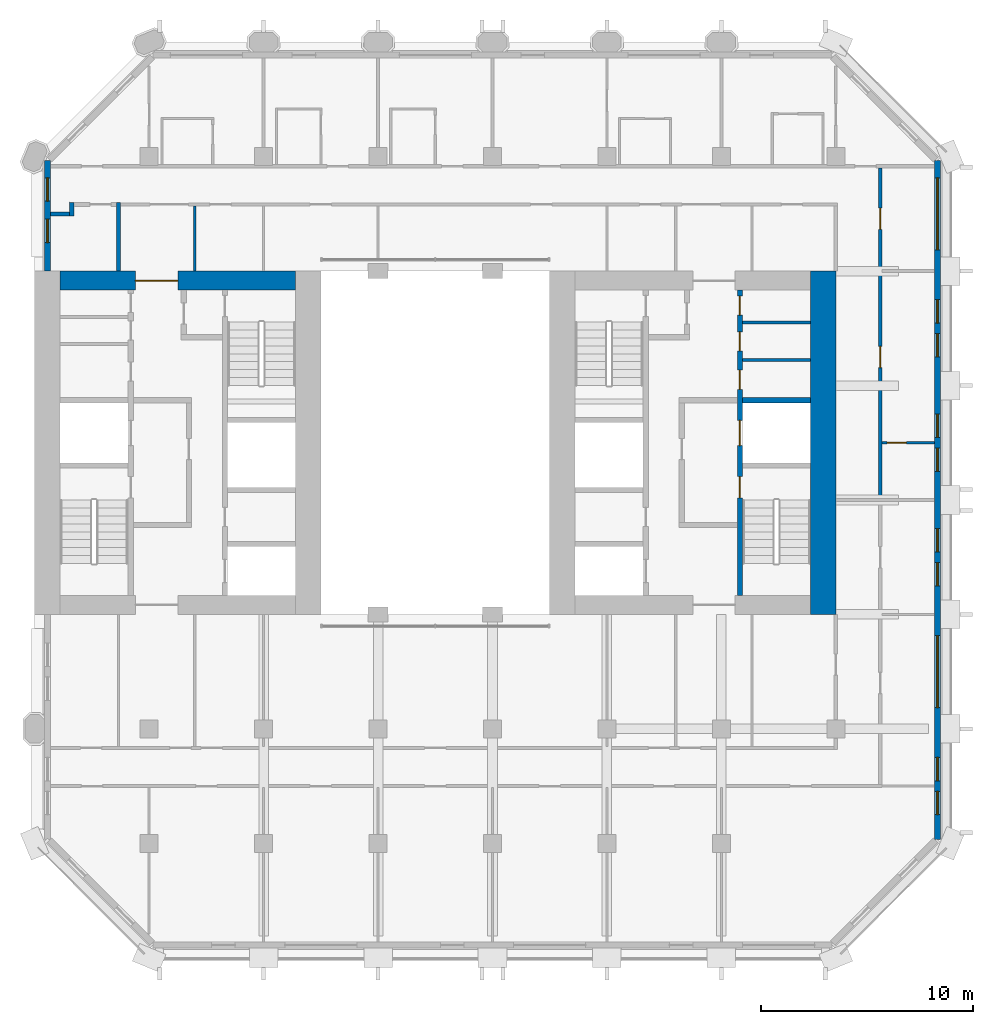
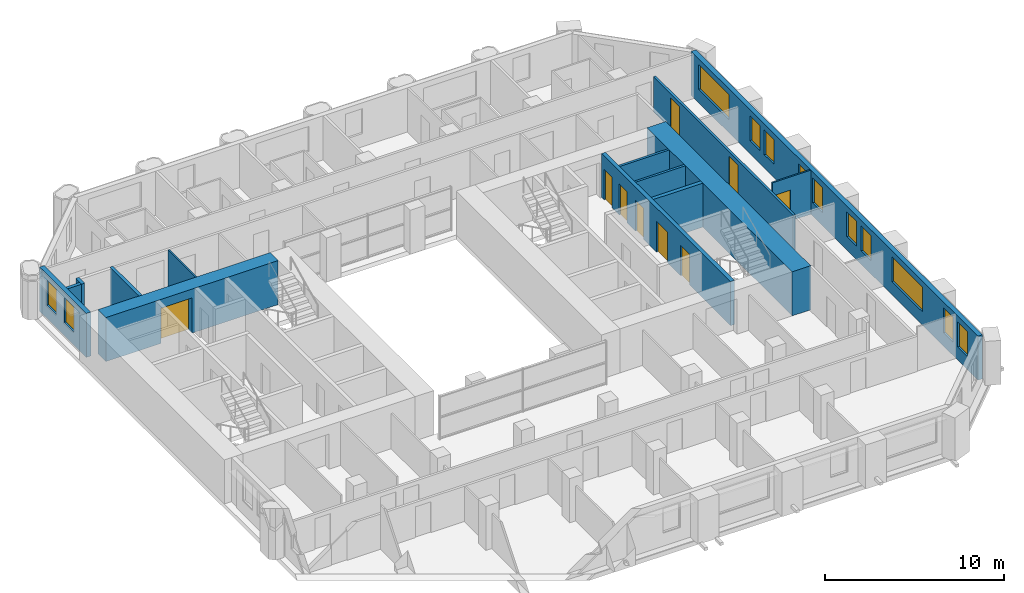
# One storey, part 8 of 13: 14 walls, 12 windows, 9 doors, 21 openings.
"""IFC4 building model written with IfcOpenShell, lengths in metres."""

from ifc_helpers import new_model, si_unit, direction, frame, frame_2d, origin, place, context, subcontext, project, spatial, rectangle, extrude, material, layer, layer_set, type_object, element, fill, save


model = new_model("IFC4")

# Units and contexts
model_context = context("Model", 3, precision=1e-05, world=origin(), true_north=direction((0.0, 1.0)))
body_context = subcontext(model_context, "Body", "Model", "MODEL_VIEW")
ifc_project = project(units=[si_unit("LENGTHUNIT", "METRE"), si_unit("AREAUNIT", "SQUARE_METRE"), si_unit("VOLUMEUNIT", "CUBIC_METRE"), si_unit("PLANEANGLEUNIT", "RADIAN"), si_unit("MASSUNIT", "GRAM", prefix="KILO")], contexts=[model_context])

# Site, building, storey
site_placement = place(None, origin())
site = spatial("IfcSite", under=ifc_project, at=site_placement, CompositionType="ELEMENT")
building_placement = place(site_placement, origin())
building = spatial("IfcBuilding", under=site, at=building_placement, Name="Tabaq Tower and Sports Hall", CompositionType="ELEMENT")
storey_placement = place(building_placement, frame((0.0, 0.0, 169.300048828125)))
storey = spatial("IfcBuildingStorey", under=building, at=storey_placement, Name="L40", CompositionType="ELEMENT", Elevation=169.300048828125)

# Walls
ifc_material_1 = material(Name="Blockwork", Category="masonry")
ifc_layer_1 = layer(ifc_material_1, 0.14990234375)
ifc_layer_set_1 = layer_set([ifc_layer_1], Name="Core room partition 150 Blockwork")
wall_type_1 = type_object("IfcWallType", Name="Core room partition 150 Blockwork", PredefinedType="PARTITIONING", material=ifc_layer_set_1)
for number, where, z_axis, x_axis, name in (
    (1, (38.800048828125, 28.200927734375, 0.0), (0.0, 0.0, 1.0), (1.0, 0.0, 0.0), "Core room partition E L40"),
    (2, (38.800048828125, 29.97705078125, 0.0), (0.0, 0.0, 1.0), (1.0, 0.0, 0.0), "Core room partition E L40"),
):
    element("IfcWall", number, at=place(storey_placement, frame(where, z_axis=z_axis, x_axis=x_axis)), inside=storey, type_object=wall_type_1, Name=name, PredefinedType="PARTITIONING", context=body_context, shape_type="SweptSolid", body=[
        extrude(rectangle(XDim=3.199951171875, YDim=0.14990234375, at=frame_2d((1.60009765625, 0.0))), origin(), (0.0, 0.0, 1.0), 3.0),
    ])
ifc_material_2 = material(Name="Concrete C50/60", Category="concrete")
ifc_layer_2 = layer(ifc_material_2, 1.199951171875)
ifc_layer_set_2 = layer_set([ifc_layer_2], Name="Core wall 1200 Concrete C50/60")
wall_type_2 = type_object("IfcWallType", Name="Core wall 1200 Concrete C50/60", PredefinedType="SOLIDWALL", material=ifc_layer_set_2)
wall_1_placement = place(storey_placement, frame((42.60009765625, 32.39990234375, 0.0), z_axis=(0.0, 0.0, 1.0), x_axis=(0.0, -1.0, 0.0)))
element("IfcWall", 3, at=wall_1_placement, inside=storey, type_object=wall_type_2, Name="Core wall E L40", PredefinedType="SOLIDWALL", context=body_context, shape_type="SweptSolid", body=[
    extrude(rectangle(XDim=16.199951171875, YDim=1.199951171875, at=frame_2d((8.10009765625, 0.0))), origin(), (0.0, 0.0, 1.0), 3.0),
])

# Wall, opening, door
ifc_material_3 = material(Name="Concrete C50/60", Category="concrete")
ifc_layer_3 = layer(ifc_material_3, 0.89990234375)
ifc_layer_set_3 = layer_set([ifc_layer_3], Name="Core wall 900 Concrete C50/60")
wall_type_3 = type_object("IfcWallType", Name="Core wall 900 Concrete C50/60", PredefinedType="SOLIDWALL", material=ifc_layer_set_3)
wall_2_placement = place(storey_placement, frame((6.60009765625, 31.949951171875, 0.0), z_axis=(0.0, 0.0, 1.0), x_axis=(1.0, 0.0, 0.0)))
wall_2 = element("IfcWall", 4, at=wall_2_placement, inside=storey, type_object=wall_type_3, Name="Core wall W L40", PredefinedType="SOLIDWALL", context=body_context, shape_type="SweptSolid", body=[
    extrude(rectangle(XDim=11.099853515625, YDim=0.89990234375, at=frame_2d((5.5498046875, 0.0))), origin(), (0.0, 0.0, 1.0), 3.0),
])
opening_1_placement = place(wall_2_placement, frame((3.550048828125, 0.0, 0.0)))
opening_1 = element("IfcOpeningElement", 5, at=opening_1_placement, cuts=wall_2, Name="Opening PD-WL40-02", PredefinedType="OPENING", context=body_context, shape_type="SweptSolid", body=[
    extrude(rectangle(XDim=2.0, YDim=2.39990234375, at=frame_2d((1.0, 1.199951171875))), frame((0.0, 0.449951171875, 0.0), z_axis=(0.0, -1.0, 0.0), x_axis=(1.0, 0.0, 0.0)), (0.0, 0.0, 1.0), 0.89990234375),
])
ifc_material_4 = material(Name="Steel fire door", Category="steel")
door_type_1 = type_object("IfcDoorType", Name="Core entrance door 2000", OperationType="DOUBLE_DOOR_SINGLE_SWING", PredefinedType="DOOR", material=ifc_material_4)
door_1_placement = place(opening_1_placement, origin())
door_1 = element("IfcDoor", 6, at=door_1_placement, inside=storey, type_object=door_type_1, Name="Core entrance north W L40", OperationType="DOUBLE_DOOR_SINGLE_SWING", OverallHeight=2.39990234375, OverallWidth=2.0, PredefinedType="DOOR", context=body_context, shape_type="SweptSolid", body=[
    extrude(rectangle(XDim=2.0, YDim=2.39990234375, at=frame_2d((1.0, 1.199951171875))), frame((0.0, 0.02490234375, 0.0), z_axis=(0.0, -1.0, 0.0), x_axis=(1.0, 0.0, 0.0)), (0.0, 0.0, 1.0), 0.050048828125),
])
fill(opening_1, door_1)

# Walls
ifc_material_5 = material(Name="Blockwork", Category="masonry")
ifc_layer_4 = layer(ifc_material_5, 0.199951171875)
ifc_layer_set_4 = layer_set([ifc_layer_4], Name="Fire compartment wall 200 Blockwork")
wall_type_4 = type_object("IfcWallType", Name="Fire compartment wall 200 Blockwork", PredefinedType="PARTITIONING", material=ifc_layer_set_4)
wall_3_placement = place(storey_placement, frame((9.35009765625, 35.64990234375, 0.0), z_axis=(0.0, 0.0, 1.0), x_axis=(0.0, -1.0, 0.0)))
element("IfcWall", 7, at=wall_3_placement, inside=storey, type_object=wall_type_4, Name="Compartment wall L40", PredefinedType="PARTITIONING", context=body_context, shape_type="SweptSolid", body=[
    extrude(rectangle(XDim=3.25, YDim=0.199951171875, at=frame_2d((1.625, 0.0))), origin(), (0.0, 0.0, 1.0), 3.0),
])
wall_4_placement = place(storey_placement, frame((7.151123046875, 35.64990234375, 0.0), z_axis=(0.0, 0.0, 1.0), x_axis=(-0.001878283689, -0.999998236024, 0.0)))
element("IfcWall", 8, at=wall_4_placement, inside=storey, type_object=wall_type_4, Name="Compartment wall L40", PredefinedType="PARTITIONING", context=body_context, shape_type="SweptSolid", body=[
    extrude(rectangle(XDim=0.64990234375, YDim=0.199951171875, at=frame_2d((0.324951171875, 0.0))), origin(), (0.0, 0.0, 1.0), 3.0),
])
wall_5_placement = place(storey_placement, frame((7.050048828125, 35.10009765625, 0.0), z_axis=(0.0, 0.0, 1.0), x_axis=(-1.0, 0.0, 0.0)))
element("IfcWall", 9, at=wall_5_placement, inside=storey, type_object=wall_type_4, Name="Compartment wall L40", PredefinedType="PARTITIONING", context=body_context, shape_type="SweptSolid", body=[
    extrude(rectangle(XDim=0.900146484375, YDim=0.199951171875, at=frame_2d((0.4501953125, 0.0))), origin(), (0.0, 0.0, 1.0), 3.0),
])

# Wall, opening, door
ifc_material_6 = material(Name="Gypsum board on steel studs", Category="steel")
ifc_layer_5 = layer(ifc_material_6, 0.10009765625)
ifc_layer_set_5 = layer_set([ifc_layer_5], Name="Partition 100 Gypsum board")
wall_type_5 = type_object("IfcWallType", Name="Partition 100 Gypsum board", PredefinedType="PARTITIONING", material=ifc_layer_set_5)
wall_6_placement = place(storey_placement, frame((45.375, 24.300048828125, 0.0), z_axis=(0.0, 0.0, 1.0), x_axis=(1.0, 0.0, 0.0)))
wall_6 = element("IfcWall", 10, at=wall_6_placement, inside=storey, type_object=wall_type_5, Name="Partition wall L40", PredefinedType="PARTITIONING", context=body_context, shape_type="SweptSolid", body=[
    extrude(rectangle(XDim=2.47412109375, YDim=0.10009765625, at=frame_2d((1.237060546875, 0.0))), origin(), (0.0, 0.0, 1.0), 3.0),
])
opening_2_placement = place(wall_6_placement, frame((0.25, 0.0, 0.0)))
opening_2 = element("IfcOpeningElement", 11, at=opening_2_placement, cuts=wall_6, Name="Opening L40-009", PredefinedType="OPENING", context=body_context, shape_type="SweptSolid", body=[
    extrude(rectangle(XDim=0.89990234375, YDim=2.10009765625, at=frame_2d((0.449951171875, 1.050048828125))), frame((0.0, 0.050048828125, 0.0), z_axis=(0.0, -1.0, 0.0), x_axis=(1.0, 0.0, 0.0)), (0.0, 0.0, 1.0), 0.10009765625),
])
ifc_material_7 = material(Name="Timber leaf in steel frame", Category="steel")
door_type_2 = type_object("IfcDoorType", Name="Internal door 900 left hand", OperationType="SINGLE_SWING_LEFT", PredefinedType="DOOR", material=ifc_material_7)
door_2_placement = place(opening_2_placement, origin())
door_2 = element("IfcDoor", 12, at=door_2_placement, inside=storey, type_object=door_type_2, Name="Internal door L40-009", OperationType="SINGLE_SWING_LEFT", OverallHeight=2.10009765625, OverallWidth=0.89990234375, PredefinedType="DOOR", context=body_context, shape_type="SweptSolid", body=[
    extrude(rectangle(XDim=0.89990234375, YDim=2.10009765625, at=frame_2d((0.449951171875, 1.050048828125))), frame((0.0, 0.02490234375, 0.0), z_axis=(0.0, -1.0, 0.0), x_axis=(1.0, 0.0, 0.0)), (0.0, 0.0, 1.0), 0.050048828125),
])
fill(opening_2, door_2)

# Wall
wall_7_placement = place(storey_placement, frame((12.949951171875, 32.39990234375, 0.0), z_axis=(0.0, 0.0, 1.0), x_axis=(0.0, 1.0, 0.0)))
element("IfcWall", 13, at=wall_7_placement, inside=storey, type_object=wall_type_5, Name="Partition wall L40", PredefinedType="PARTITIONING", context=body_context, shape_type="SweptSolid", body=[
    extrude(rectangle(XDim=3.0751953125, YDim=0.10009765625, at=frame_2d((1.53759765625, 0.0))), origin(), (0.0, 0.0, 1.0), 3.0),
])

# Wall, openings, doors
ifc_material_8 = material(Name="Blockwork", Category="masonry")
ifc_layer_6 = layer(ifc_material_8, 0.14990234375)
ifc_layer_set_6 = layer_set([ifc_layer_6], Name="Separating wall 150 Blockwork")
wall_type_6 = type_object("IfcWallType", Name="Separating wall 150 Blockwork", PredefinedType="PARTITIONING", material=ifc_layer_set_6)
wall_8_placement = place(storey_placement, frame((45.300048828125, 37.27490234375, 0.0), z_axis=(0.0, 0.0, 1.0), x_axis=(0.0, -1.0, 0.0)))
wall_8 = element("IfcWall", 14, at=wall_8_placement, inside=storey, type_object=wall_type_6, Name="Separating wall L40", PredefinedType="PARTITIONING", context=body_context, shape_type="SweptSolid", body=[
    extrude(rectangle(XDim=15.599853515625, YDim=0.14990234375, at=frame_2d((7.7998046875, 0.0))), origin(), (0.0, 0.0, 1.0), 2.39990234375),
])
opening_3_placement = place(wall_8_placement, frame((1.89990234375, 0.0, 0.0)))
opening_3 = element("IfcOpeningElement", 15, at=opening_3_placement, cuts=wall_8, Name="Opening L40-001", PredefinedType="OPENING", context=body_context, shape_type="SweptSolid", body=[
    extrude(rectangle(XDim=1.0, YDim=2.10009765625, at=frame_2d((0.5, 1.050048828125))), frame((0.0, 0.074951171875, 0.0), z_axis=(0.0, -1.0, 0.0), x_axis=(1.0, 0.0, 0.0)), (0.0, 0.0, 1.0), 0.14990234375),
])
opening_4_placement = place(wall_8_placement, frame((8.425048828125, 0.0, 0.0)))
opening_4 = element("IfcOpeningElement", 16, at=opening_4_placement, cuts=wall_8, Name="Opening L40-036", PredefinedType="OPENING", context=body_context, shape_type="SweptSolid", body=[
    extrude(rectangle(XDim=1.0, YDim=2.10009765625, at=frame_2d((0.5, 1.050048828125))), frame((0.0, 0.074951171875, 0.0), z_axis=(0.0, -1.0, 0.0), x_axis=(1.0, 0.0, 0.0)), (0.0, 0.0, 1.0), 0.14990234375),
])
ifc_material_9 = material(Name="Steel fire door", Category="steel")
door_type_3 = type_object("IfcDoorType", Name="Entrance door 1000 right hand", OperationType="SINGLE_SWING_RIGHT", PredefinedType="DOOR", material=ifc_material_9)
door_3_placement = place(opening_4_placement, origin())
door_3 = element("IfcDoor", 17, at=door_3_placement, inside=storey, type_object=door_type_3, Name="Entrance door L40-036", OperationType="SINGLE_SWING_RIGHT", OverallHeight=2.10009765625, OverallWidth=1.0, PredefinedType="DOOR", context=body_context, shape_type="SweptSolid", body=[
    extrude(rectangle(XDim=1.0, YDim=2.10009765625, at=frame_2d((0.5, 1.050048828125))), frame((0.0, 0.02490234375, 0.0), z_axis=(0.0, -1.0, 0.0), x_axis=(1.0, 0.0, 0.0)), (0.0, 0.0, 1.0), 0.050048828125),
])
fill(opening_4, door_3)
ifc_material_10 = material(Name="Timber leaf in steel frame", Category="steel")
door_type_4 = type_object("IfcDoorType", Name="Internal door 1000 left hand", OperationType="SINGLE_SWING_LEFT", PredefinedType="DOOR", material=ifc_material_10)
door_4_placement = place(opening_3_placement, origin())
door_4 = element("IfcDoor", 18, at=door_4_placement, inside=storey, type_object=door_type_4, Name="Internal door L40-001", OperationType="SINGLE_SWING_LEFT", OverallHeight=2.10009765625, OverallWidth=1.0, PredefinedType="DOOR", context=body_context, shape_type="SweptSolid", body=[
    extrude(rectangle(XDim=1.0, YDim=2.10009765625, at=frame_2d((0.5, 1.050048828125))), frame((0.0, 0.02490234375, 0.0), z_axis=(0.0, -1.0, 0.0), x_axis=(1.0, 0.0, 0.0)), (0.0, 0.0, 1.0), 0.050048828125),
])
fill(opening_3, door_4)

ifc_material_11 = material(Name="Concrete C40/50", Category="concrete")
ifc_layer_7 = layer(ifc_material_11, 0.25)
ifc_layer_set_7 = layer_set([ifc_layer_7], Name="Shaft and stair wall 250 Concrete C40/50")
wall_type_7 = type_object("IfcWallType", Name="Shaft and stair wall 250 Concrete C40/50", PredefinedType="SOLIDWALL", material=ifc_layer_set_7)
wall_9_placement = place(storey_placement, frame((38.675048828125, 17.10009765625, 0.0), z_axis=(0.0, 0.0, 1.0), x_axis=(0.0, 1.0, 0.0)))
wall_9 = element("IfcWall", 19, at=wall_9_placement, inside=storey, type_object=wall_type_7, Name="Shaft wall E L40", PredefinedType="SOLIDWALL", context=body_context, shape_type="SweptSolid", body=[
    extrude(rectangle(XDim=14.39990234375, YDim=0.25, at=frame_2d((7.199951171875, 0.0))), origin(), (0.0, 0.0, 1.0), 3.0),
])
opening_5_placement = place(wall_9_placement, frame((4.60009765625, 0.0, 0.0)))
opening_5 = element("IfcOpeningElement", 20, at=opening_5_placement, cuts=wall_9, Name="Opening SD-EL40-03", PredefinedType="OPENING", context=body_context, shape_type="SweptSolid", body=[
    extrude(rectangle(XDim=1.0, YDim=2.10009765625, at=frame_2d((0.5, 1.050048828125))), frame((0.0, 0.125, 0.0), z_axis=(0.0, -1.0, 0.0), x_axis=(1.0, 0.0, 0.0)), (0.0, 0.0, 1.0), 0.25),
])
opening_6_placement = place(wall_9_placement, frame((7.0625, 0.0, 0.0)))
opening_6 = element("IfcOpeningElement", 21, at=opening_6_placement, cuts=wall_9, Name="Opening LD-FF2-L40", PredefinedType="OPENING", context=body_context, shape_type="SweptSolid", body=[
    extrude(rectangle(XDim=1.199951171875, YDim=2.10009765625, at=frame_2d((0.60009765625, 1.050048828125))), frame((0.0, 0.125, 0.0), z_axis=(0.0, -1.0, 0.0), x_axis=(1.0, 0.0, 0.0)), (0.0, 0.0, 1.0), 0.25),
])
opening_7_placement = place(wall_9_placement, frame((9.7255859375, 0.0, 0.0)))
opening_7 = element("IfcOpeningElement", 22, at=opening_7_placement, cuts=wall_9, Name="Opening RD-EL40-09", PredefinedType="OPENING", context=body_context, shape_type="SweptSolid", body=[
    extrude(rectangle(XDim=0.89990234375, YDim=2.10009765625, at=frame_2d((0.449951171875, 1.050048828125))), frame((0.0, 0.125, 0.0), z_axis=(0.0, -1.0, 0.0), x_axis=(1.0, 0.0, 0.0)), (0.0, 0.0, 1.0), 0.25),
])
opening_8_placement = place(wall_9_placement, frame((11.5390625, 0.0, 0.0)))
opening_8 = element("IfcOpeningElement", 23, at=opening_8_placement, cuts=wall_9, Name="Opening RD-EL40-10", PredefinedType="OPENING", context=body_context, shape_type="SweptSolid", body=[
    extrude(rectangle(XDim=0.89990234375, YDim=2.10009765625, at=frame_2d((0.449951171875, 1.050048828125))), frame((0.0, 0.125, 0.0), z_axis=(0.0, -1.0, 0.0), x_axis=(1.0, 0.0, 0.0)), (0.0, 0.0, 1.0), 0.25),
])
opening_9_placement = place(wall_9_placement, frame((13.22607421875, 0.0, 0.0)))
opening_9 = element("IfcOpeningElement", 24, at=opening_9_placement, cuts=wall_9, Name="Opening RD-EL40-11", PredefinedType="OPENING", context=body_context, shape_type="SweptSolid", body=[
    extrude(rectangle(XDim=0.89990234375, YDim=2.10009765625, at=frame_2d((0.449951171875, 1.050048828125))), frame((0.0, 0.125, 0.0), z_axis=(0.0, -1.0, 0.0), x_axis=(1.0, 0.0, 0.0)), (0.0, 0.0, 1.0), 0.25),
])
ifc_material_12 = material(Name="Steel fire door", Category="steel")
door_type_5 = type_object("IfcDoorType", Name="Core room door 900", OperationType="SINGLE_SWING_LEFT", PredefinedType="DOOR", material=ifc_material_12)
door_5_placement = place(opening_7_placement, origin())
door_5 = element("IfcDoor", 25, at=door_5_placement, inside=storey, type_object=door_type_5, Name="Door Accessible WC E L40", OperationType="SINGLE_SWING_LEFT", OverallHeight=2.10009765625, OverallWidth=0.89990234375, PredefinedType="DOOR", context=body_context, shape_type="SweptSolid", body=[
    extrude(rectangle(XDim=0.89990234375, YDim=2.10009765625, at=frame_2d((0.449951171875, 1.050048828125))), frame((0.0, 0.02490234375, 0.0), z_axis=(0.0, -1.0, 0.0), x_axis=(1.0, 0.0, 0.0)), (0.0, 0.0, 1.0), 0.050048828125),
])
fill(opening_7, door_5)
door_6_placement = place(opening_8_placement, origin())
door_6 = element("IfcDoor", 26, at=door_6_placement, inside=storey, type_object=door_type_5, Name="Door Unisex WC E L40", OperationType="SINGLE_SWING_LEFT", OverallHeight=2.10009765625, OverallWidth=0.89990234375, PredefinedType="DOOR", context=body_context, shape_type="SweptSolid", body=[
    extrude(rectangle(XDim=0.89990234375, YDim=2.10009765625, at=frame_2d((0.449951171875, 1.050048828125))), frame((0.0, 0.02490234375, 0.0), z_axis=(0.0, -1.0, 0.0), x_axis=(1.0, 0.0, 0.0)), (0.0, 0.0, 1.0), 0.050048828125),
])
fill(opening_8, door_6)
door_7_placement = place(opening_9_placement, origin())
door_7 = element("IfcDoor", 27, at=door_7_placement, inside=storey, type_object=door_type_5, Name="Door Cleaner's Store E L40", OperationType="SINGLE_SWING_LEFT", OverallHeight=2.10009765625, OverallWidth=0.89990234375, PredefinedType="DOOR", context=body_context, shape_type="SweptSolid", body=[
    extrude(rectangle(XDim=0.89990234375, YDim=2.10009765625, at=frame_2d((0.449951171875, 1.050048828125))), frame((0.0, 0.02490234375, 0.0), z_axis=(0.0, -1.0, 0.0), x_axis=(1.0, 0.0, 0.0)), (0.0, 0.0, 1.0), 0.050048828125),
])
fill(opening_9, door_7)
ifc_material_13 = material(Name="Stainless steel", Category="steel")
door_type_6 = type_object("IfcDoorType", Name="Lift landing door 1200", OperationType="DOUBLE_DOOR_SLIDING", PredefinedType="DOOR", material=ifc_material_13)
door_8_placement = place(opening_6_placement, origin())
door_8 = element("IfcDoor", 28, at=door_8_placement, inside=storey, type_object=door_type_6, Name="Lift landing door FF2 E L40", OperationType="DOUBLE_DOOR_SLIDING", OverallHeight=2.10009765625, OverallWidth=1.199951171875, PredefinedType="DOOR", context=body_context, shape_type="SweptSolid", body=[
    extrude(rectangle(XDim=1.199951171875, YDim=2.10009765625, at=frame_2d((0.60009765625, 1.050048828125))), frame((0.0, 0.02490234375, 0.0), z_axis=(0.0, -1.0, 0.0), x_axis=(1.0, 0.0, 0.0)), (0.0, 0.0, 1.0), 0.050048828125),
])
fill(opening_6, door_8)
ifc_material_14 = material(Name="Steel fire door", Category="steel")
door_type_7 = type_object("IfcDoorType", Name="Stair door 1000", OperationType="SINGLE_SWING_LEFT", PredefinedType="DOOR", material=ifc_material_14)
door_9_placement = place(opening_5_placement, origin())
door_9 = element("IfcDoor", 29, at=door_9_placement, inside=storey, type_object=door_type_7, Name="Stair door ST3 E L40", OperationType="SINGLE_SWING_LEFT", OverallHeight=2.10009765625, OverallWidth=1.0, PredefinedType="DOOR", context=body_context, shape_type="SweptSolid", body=[
    extrude(rectangle(XDim=1.0, YDim=2.10009765625, at=frame_2d((0.5, 1.050048828125))), frame((0.0, 0.02490234375, 0.0), z_axis=(0.0, -1.0, 0.0), x_axis=(1.0, 0.0, 0.0)), (0.0, 0.0, 1.0), 0.050048828125),
])
fill(opening_5, door_9)

# Wall
wall_10_placement = place(storey_placement, frame((38.800048828125, 26.300048828125, 0.0), z_axis=(0.0, 0.0, 1.0), x_axis=(1.0, 0.0, 0.0)))
element("IfcWall", 30, at=wall_10_placement, inside=storey, type_object=wall_type_7, Name="Shaft wall E L40", PredefinedType="SOLIDWALL", context=body_context, shape_type="SweptSolid", body=[
    extrude(rectangle(XDim=3.199951171875, YDim=0.25, at=frame_2d((1.60009765625, 0.0))), origin(), (0.0, 0.0, 1.0), 3.0),
])

# Wall, openings, windows
ifc_material_15 = material(Name="White precast concrete C60/75", Category="concrete")
ifc_layer_8 = layer(ifc_material_15, 0.300048828125)
ifc_layer_set_8 = layer_set([ifc_layer_8], Name="White precast concrete C60/75 external wall 300")
wall_type_8 = type_object("IfcWallType", Name="White precast concrete C60/75 external wall 300", PredefinedType="SOLIDWALL", material=ifc_layer_set_8)
wall_11_placement = place(storey_placement, frame((48.0, 5.58642578125, 0.0), z_axis=(0.0, 0.0, 1.0), x_axis=(0.0, 1.0, 0.0)))
wall_11 = element("IfcWall", 31, at=wall_11_placement, inside=storey, type_object=wall_type_8, Name="External Wall L40 E", PredefinedType="SOLIDWALL", context=body_context, shape_type="SweptSolid", body=[
    extrude(rectangle(XDim=32.027099609375, YDim=0.300048828125, at=frame_2d((16.013671875, 0.0))), origin(), (0.0, 0.0, 1.0), 3.0),
])
opening_10_placement = place(wall_11_placement, frame((1.16357421875, 0.0, 0.89990234375)))
opening_10 = element("IfcOpeningElement", 32, at=opening_10_placement, cuts=wall_11, Name="Opening W1B", PredefinedType="OPENING", context=body_context, shape_type="SweptSolid", body=[
    extrude(rectangle(XDim=1.10009765625, YDim=1.699951171875, at=frame_2d((0.550048828125, 0.85009765625))), frame((0.0, 0.16015625, 0.0), z_axis=(0.0, -1.0, 0.0), x_axis=(1.0, 0.0, 0.0)), (0.0, 0.0, 1.0), 0.320068359375),
])
opening_11_placement = place(wall_11_placement, frame((2.763671875, 0.0, 0.89990234375)))
opening_11 = element("IfcOpeningElement", 33, at=opening_11_placement, cuts=wall_11, Name="Opening W1B", PredefinedType="OPENING", context=body_context, shape_type="SweptSolid", body=[
    extrude(rectangle(XDim=1.10009765625, YDim=1.699951171875, at=frame_2d((0.550048828125, 0.85009765625))), frame((0.0, 0.16015625, 0.0), z_axis=(0.0, -1.0, 0.0), x_axis=(1.0, 0.0, 0.0)), (0.0, 0.0, 1.0), 0.320068359375),
])
opening_12_placement = place(wall_11_placement, frame((6.213623046875, 0.0, 0.89990234375)))
opening_12 = element("IfcOpeningElement", 34, at=opening_12_placement, cuts=wall_11, Name="Opening W1A", PredefinedType="OPENING", context=body_context, shape_type="SweptSolid", body=[
    extrude(rectangle(XDim=3.39990234375, YDim=1.699951171875, at=frame_2d((1.699951171875, 0.85009765625))), frame((0.0, 0.16015625, 0.0), z_axis=(0.0, -1.0, 0.0), x_axis=(1.0, 0.0, 0.0)), (0.0, 0.0, 1.0), 0.320068359375),
])
opening_13_placement = place(wall_11_placement, frame((11.963623046875, 0.0, 0.89990234375)))
opening_13 = element("IfcOpeningElement", 35, at=opening_13_placement, cuts=wall_11, Name="Opening W1B", PredefinedType="OPENING", context=body_context, shape_type="SweptSolid", body=[
    extrude(rectangle(XDim=1.10009765625, YDim=1.699951171875, at=frame_2d((0.550048828125, 0.85009765625))), frame((0.0, 0.16015625, 0.0), z_axis=(0.0, -1.0, 0.0), x_axis=(1.0, 0.0, 0.0)), (0.0, 0.0, 1.0), 0.320068359375),
])
opening_14_placement = place(wall_11_placement, frame((13.563720703125, 0.0, 0.89990234375)))
opening_14 = element("IfcOpeningElement", 36, at=opening_14_placement, cuts=wall_11, Name="Opening W1B", PredefinedType="OPENING", context=body_context, shape_type="SweptSolid", body=[
    extrude(rectangle(XDim=1.10009765625, YDim=1.699951171875, at=frame_2d((0.550048828125, 0.85009765625))), frame((0.0, 0.16015625, 0.0), z_axis=(0.0, -1.0, 0.0), x_axis=(1.0, 0.0, 0.0)), (0.0, 0.0, 1.0), 0.320068359375),
])
opening_15_placement = place(wall_11_placement, frame((17.363525390625, 0.0, 0.89990234375)))
opening_15 = element("IfcOpeningElement", 37, at=opening_15_placement, cuts=wall_11, Name="Opening W1B", PredefinedType="OPENING", context=body_context, shape_type="SweptSolid", body=[
    extrude(rectangle(XDim=1.10009765625, YDim=1.699951171875, at=frame_2d((0.550048828125, 0.85009765625))), frame((0.0, 0.16015625, 0.0), z_axis=(0.0, -1.0, 0.0), x_axis=(1.0, 0.0, 0.0)), (0.0, 0.0, 1.0), 0.320068359375),
])
opening_16_placement = place(wall_11_placement, frame((18.963623046875, 0.0, 0.89990234375)))
opening_16 = element("IfcOpeningElement", 38, at=opening_16_placement, cuts=wall_11, Name="Opening W1B", PredefinedType="OPENING", context=body_context, shape_type="SweptSolid", body=[
    extrude(rectangle(XDim=1.10009765625, YDim=1.699951171875, at=frame_2d((0.550048828125, 0.85009765625))), frame((0.0, 0.16015625, 0.0), z_axis=(0.0, -1.0, 0.0), x_axis=(1.0, 0.0, 0.0)), (0.0, 0.0, 1.0), 0.320068359375),
])
opening_17_placement = place(wall_11_placement, frame((22.763671875, 0.0, 0.89990234375)))
opening_17 = element("IfcOpeningElement", 39, at=opening_17_placement, cuts=wall_11, Name="Opening W1B", PredefinedType="OPENING", context=body_context, shape_type="SweptSolid", body=[
    extrude(rectangle(XDim=1.10009765625, YDim=1.699951171875, at=frame_2d((0.550048828125, 0.85009765625))), frame((0.0, 0.16015625, 0.0), z_axis=(0.0, -1.0, 0.0), x_axis=(1.0, 0.0, 0.0)), (0.0, 0.0, 1.0), 0.320068359375),
])
opening_18_placement = place(wall_11_placement, frame((24.363525390625, 0.0, 0.89990234375)))
opening_18 = element("IfcOpeningElement", 40, at=opening_18_placement, cuts=wall_11, Name="Opening W1B", PredefinedType="OPENING", context=body_context, shape_type="SweptSolid", body=[
    extrude(rectangle(XDim=1.10009765625, YDim=1.699951171875, at=frame_2d((0.550048828125, 0.85009765625))), frame((0.0, 0.16015625, 0.0), z_axis=(0.0, -1.0, 0.0), x_axis=(1.0, 0.0, 0.0)), (0.0, 0.0, 1.0), 0.320068359375),
])
opening_19_placement = place(wall_11_placement, frame((27.813720703125, 0.0, 0.89990234375)))
opening_19 = element("IfcOpeningElement", 41, at=opening_19_placement, cuts=wall_11, Name="Opening W1A", PredefinedType="OPENING", context=body_context, shape_type="SweptSolid", body=[
    extrude(rectangle(XDim=3.39990234375, YDim=1.699951171875, at=frame_2d((1.699951171875, 0.85009765625))), frame((0.0, 0.16015625, 0.0), z_axis=(0.0, -1.0, 0.0), x_axis=(1.0, 0.0, 0.0)), (0.0, 0.0, 1.0), 0.320068359375),
])
ifc_material_16 = material(Name="Aluminium framed clear glazing", Category="aluminium")
window_type_1 = type_object("IfcWindowType", Name="Window W1A", PartitioningType="SINGLE_PANEL", PredefinedType="WINDOW", material=ifc_material_16)
window_1_placement = place(opening_12_placement, origin())
window_1 = element("IfcWindow", 42, at=window_1_placement, inside=storey, type_object=window_type_1, Name="Window W1A L40", OverallHeight=1.699951171875, OverallWidth=3.39990234375, PartitioningType="SINGLE_PANEL", PredefinedType="WINDOW", context=body_context, shape_type="SweptSolid", body=[
    extrude(rectangle(XDim=3.39990234375, YDim=1.699951171875, at=frame_2d((1.699951171875, 0.85009765625))), frame((0.0, 0.030029296875, 0.0), z_axis=(0.0, -1.0, 0.0), x_axis=(1.0, 0.0, 0.0)), (0.0, 0.0, 1.0), 0.06005859375),
])
fill(opening_12, window_1)
window_2_placement = place(opening_19_placement, origin())
window_2 = element("IfcWindow", 43, at=window_2_placement, inside=storey, type_object=window_type_1, Name="Window W1A L40", OverallHeight=1.699951171875, OverallWidth=3.39990234375, PartitioningType="SINGLE_PANEL", PredefinedType="WINDOW", context=body_context, shape_type="SweptSolid", body=[
    extrude(rectangle(XDim=3.39990234375, YDim=1.699951171875, at=frame_2d((1.699951171875, 0.85009765625))), frame((0.0, 0.030029296875, 0.0), z_axis=(0.0, -1.0, 0.0), x_axis=(1.0, 0.0, 0.0)), (0.0, 0.0, 1.0), 0.06005859375),
])
fill(opening_19, window_2)
ifc_material_17 = material(Name="Aluminium framed clear glazing", Category="aluminium")
window_type_2 = type_object("IfcWindowType", Name="Window W1B", PartitioningType="SINGLE_PANEL", PredefinedType="WINDOW", material=ifc_material_17)
window_3_placement = place(opening_10_placement, origin())
window_3 = element("IfcWindow", 44, at=window_3_placement, inside=storey, type_object=window_type_2, Name="Window W1B L40", OverallHeight=1.699951171875, OverallWidth=1.10009765625, PartitioningType="SINGLE_PANEL", PredefinedType="WINDOW", context=body_context, shape_type="SweptSolid", body=[
    extrude(rectangle(XDim=1.10009765625, YDim=1.699951171875, at=frame_2d((0.550048828125, 0.85009765625))), frame((0.0, 0.030029296875, 0.0), z_axis=(0.0, -1.0, 0.0), x_axis=(1.0, 0.0, 0.0)), (0.0, 0.0, 1.0), 0.06005859375),
])
fill(opening_10, window_3)
window_4_placement = place(opening_11_placement, origin())
window_4 = element("IfcWindow", 45, at=window_4_placement, inside=storey, type_object=window_type_2, Name="Window W1B L40", OverallHeight=1.699951171875, OverallWidth=1.10009765625, PartitioningType="SINGLE_PANEL", PredefinedType="WINDOW", context=body_context, shape_type="SweptSolid", body=[
    extrude(rectangle(XDim=1.10009765625, YDim=1.699951171875, at=frame_2d((0.550048828125, 0.85009765625))), frame((0.0, 0.030029296875, 0.0), z_axis=(0.0, -1.0, 0.0), x_axis=(1.0, 0.0, 0.0)), (0.0, 0.0, 1.0), 0.06005859375),
])
fill(opening_11, window_4)
window_5_placement = place(opening_13_placement, origin())
window_5 = element("IfcWindow", 46, at=window_5_placement, inside=storey, type_object=window_type_2, Name="Window W1B L40", OverallHeight=1.699951171875, OverallWidth=1.10009765625, PartitioningType="SINGLE_PANEL", PredefinedType="WINDOW", context=body_context, shape_type="SweptSolid", body=[
    extrude(rectangle(XDim=1.10009765625, YDim=1.699951171875, at=frame_2d((0.550048828125, 0.85009765625))), frame((0.0, 0.030029296875, 0.0), z_axis=(0.0, -1.0, 0.0), x_axis=(1.0, 0.0, 0.0)), (0.0, 0.0, 1.0), 0.06005859375),
])
fill(opening_13, window_5)
window_6_placement = place(opening_14_placement, origin())
window_6 = element("IfcWindow", 47, at=window_6_placement, inside=storey, type_object=window_type_2, Name="Window W1B L40", OverallHeight=1.699951171875, OverallWidth=1.10009765625, PartitioningType="SINGLE_PANEL", PredefinedType="WINDOW", context=body_context, shape_type="SweptSolid", body=[
    extrude(rectangle(XDim=1.10009765625, YDim=1.699951171875, at=frame_2d((0.550048828125, 0.85009765625))), frame((0.0, 0.030029296875, 0.0), z_axis=(0.0, -1.0, 0.0), x_axis=(1.0, 0.0, 0.0)), (0.0, 0.0, 1.0), 0.06005859375),
])
fill(opening_14, window_6)
window_7_placement = place(opening_15_placement, origin())
window_7 = element("IfcWindow", 48, at=window_7_placement, inside=storey, type_object=window_type_2, Name="Window W1B L40", OverallHeight=1.699951171875, OverallWidth=1.10009765625, PartitioningType="SINGLE_PANEL", PredefinedType="WINDOW", context=body_context, shape_type="SweptSolid", body=[
    extrude(rectangle(XDim=1.10009765625, YDim=1.699951171875, at=frame_2d((0.550048828125, 0.85009765625))), frame((0.0, 0.030029296875, 0.0), z_axis=(0.0, -1.0, 0.0), x_axis=(1.0, 0.0, 0.0)), (0.0, 0.0, 1.0), 0.06005859375),
])
fill(opening_15, window_7)
window_8_placement = place(opening_16_placement, origin())
window_8 = element("IfcWindow", 49, at=window_8_placement, inside=storey, type_object=window_type_2, Name="Window W1B L40", OverallHeight=1.699951171875, OverallWidth=1.10009765625, PartitioningType="SINGLE_PANEL", PredefinedType="WINDOW", context=body_context, shape_type="SweptSolid", body=[
    extrude(rectangle(XDim=1.10009765625, YDim=1.699951171875, at=frame_2d((0.550048828125, 0.85009765625))), frame((0.0, 0.030029296875, 0.0), z_axis=(0.0, -1.0, 0.0), x_axis=(1.0, 0.0, 0.0)), (0.0, 0.0, 1.0), 0.06005859375),
])
fill(opening_16, window_8)
window_9_placement = place(opening_17_placement, origin())
window_9 = element("IfcWindow", 50, at=window_9_placement, inside=storey, type_object=window_type_2, Name="Window W1B L40", OverallHeight=1.699951171875, OverallWidth=1.10009765625, PartitioningType="SINGLE_PANEL", PredefinedType="WINDOW", context=body_context, shape_type="SweptSolid", body=[
    extrude(rectangle(XDim=1.10009765625, YDim=1.699951171875, at=frame_2d((0.550048828125, 0.85009765625))), frame((0.0, 0.030029296875, 0.0), z_axis=(0.0, -1.0, 0.0), x_axis=(1.0, 0.0, 0.0)), (0.0, 0.0, 1.0), 0.06005859375),
])
fill(opening_17, window_9)
window_10_placement = place(opening_18_placement, origin())
window_10 = element("IfcWindow", 51, at=window_10_placement, inside=storey, type_object=window_type_2, Name="Window W1B L40", OverallHeight=1.699951171875, OverallWidth=1.10009765625, PartitioningType="SINGLE_PANEL", PredefinedType="WINDOW", context=body_context, shape_type="SweptSolid", body=[
    extrude(rectangle(XDim=1.10009765625, YDim=1.699951171875, at=frame_2d((0.550048828125, 0.85009765625))), frame((0.0, 0.030029296875, 0.0), z_axis=(0.0, -1.0, 0.0), x_axis=(1.0, 0.0, 0.0)), (0.0, 0.0, 1.0), 0.06005859375),
])
fill(opening_18, window_10)

wall_12_placement = place(storey_placement, frame((6.0, 37.613525390625, 0.0), z_axis=(0.0, 0.0, 1.0), x_axis=(0.0, -1.0, 0.0)))
wall_12 = element("IfcWall", 52, at=wall_12_placement, inside=storey, type_object=wall_type_8, Name="External Wall L40 W", PredefinedType="SOLIDWALL", context=body_context, shape_type="SweptSolid", body=[
    extrude(rectangle(XDim=5.213623046875, YDim=0.300048828125, at=frame_2d((2.60693359375, 0.0))), origin(), (0.0, 0.0, 1.0), 3.0),
])
opening_20_placement = place(wall_12_placement, frame((0.813720703125, 0.0, 0.89990234375)))
opening_20 = element("IfcOpeningElement", 53, at=opening_20_placement, cuts=wall_12, Name="Opening W1B", PredefinedType="OPENING", context=body_context, shape_type="SweptSolid", body=[
    extrude(rectangle(XDim=1.10009765625, YDim=1.699951171875, at=frame_2d((0.550048828125, 0.85009765625))), frame((0.0, 0.16015625, 0.0), z_axis=(0.0, -1.0, 0.0), x_axis=(1.0, 0.0, 0.0)), (0.0, 0.0, 1.0), 0.320068359375),
])
opening_21_placement = place(wall_12_placement, frame((2.763671875, 0.0, 0.89990234375)))
opening_21 = element("IfcOpeningElement", 54, at=opening_21_placement, cuts=wall_12, Name="Opening W1B", PredefinedType="OPENING", context=body_context, shape_type="SweptSolid", body=[
    extrude(rectangle(XDim=1.10009765625, YDim=1.699951171875, at=frame_2d((0.550048828125, 0.85009765625))), frame((0.0, 0.16015625, 0.0), z_axis=(0.0, -1.0, 0.0), x_axis=(1.0, 0.0, 0.0)), (0.0, 0.0, 1.0), 0.320068359375),
])
window_11_placement = place(opening_20_placement, origin())
window_11 = element("IfcWindow", 55, at=window_11_placement, inside=storey, type_object=window_type_2, Name="Window W1B L40", OverallHeight=1.699951171875, OverallWidth=1.10009765625, PartitioningType="SINGLE_PANEL", PredefinedType="WINDOW", context=body_context, shape_type="SweptSolid", body=[
    extrude(rectangle(XDim=1.10009765625, YDim=1.699951171875, at=frame_2d((0.550048828125, 0.85009765625))), frame((0.0, 0.030029296875, 0.0), z_axis=(0.0, -1.0, 0.0), x_axis=(1.0, 0.0, 0.0)), (0.0, 0.0, 1.0), 0.06005859375),
])
fill(opening_20, window_11)
window_12_placement = place(opening_21_placement, origin())
window_12 = element("IfcWindow", 56, at=window_12_placement, inside=storey, type_object=window_type_2, Name="Window W1B L40", OverallHeight=1.699951171875, OverallWidth=1.10009765625, PartitioningType="SINGLE_PANEL", PredefinedType="WINDOW", context=body_context, shape_type="SweptSolid", body=[
    extrude(rectangle(XDim=1.10009765625, YDim=1.699951171875, at=frame_2d((0.550048828125, 0.85009765625))), frame((0.0, 0.030029296875, 0.0), z_axis=(0.0, -1.0, 0.0), x_axis=(1.0, 0.0, 0.0)), (0.0, 0.0, 1.0), 0.06005859375),
])
fill(opening_21, window_12)

save(model, "model.ifc")
